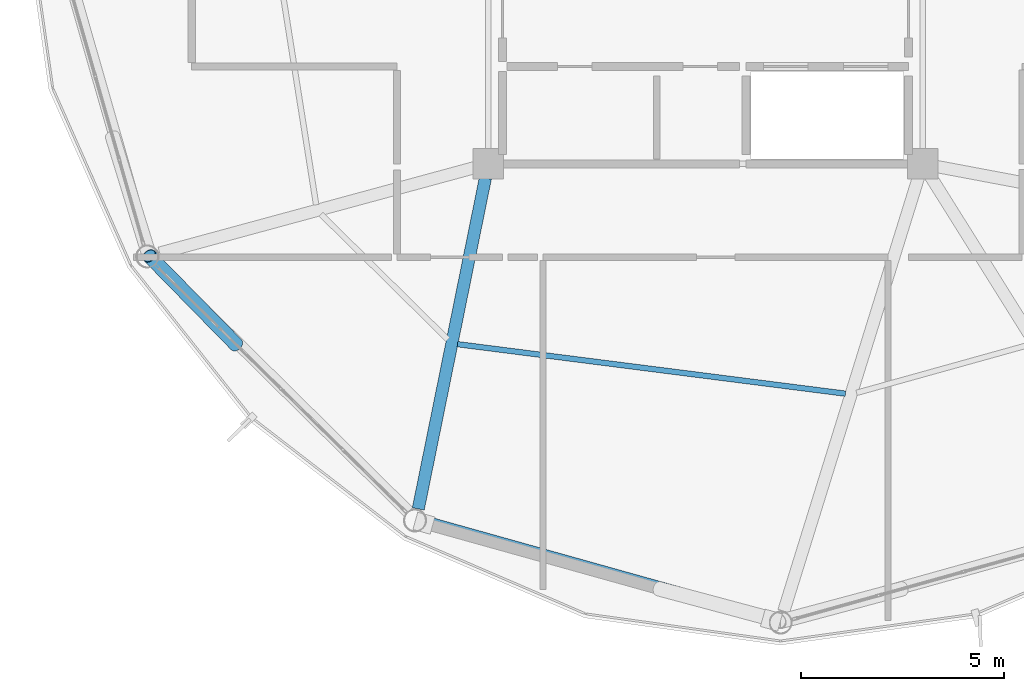
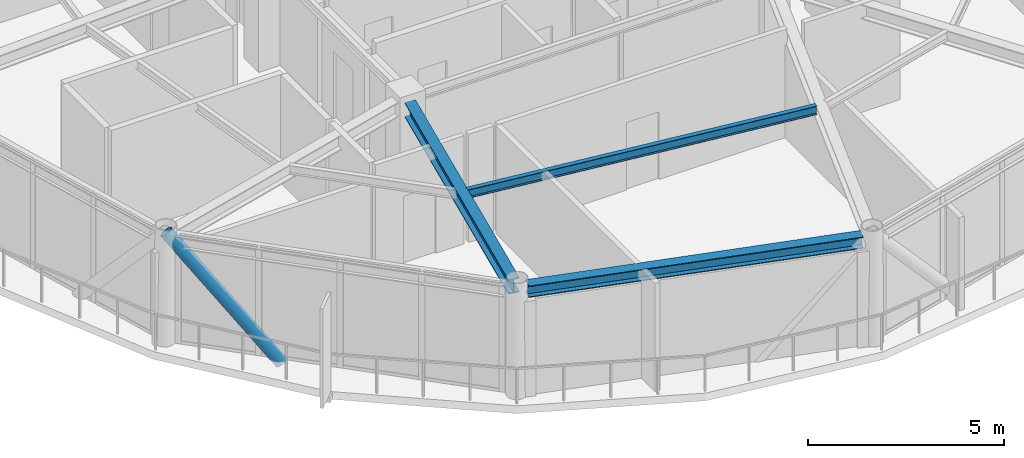
# One storey, part 3 of 26: 3 beams, 1 member.
"""IFC4 building model written with IfcOpenShell, lengths in metres."""

from ifc_helpers import new_model, si_unit, direction, frame, origin, origin_2d, place, context, subcontext, project, spatial, hollow_circle, i_section, extrude, material, material_profile, profile_set, type_object, element, save


model = new_model("IFC4")

# Units and contexts
model_context = context("Model", 3, precision=1e-05, world=origin(), true_north=direction((0.0, 1.0)))
body_context = subcontext(model_context, "Body", "Model", "MODEL_VIEW")
ifc_project = project(units=[si_unit("LENGTHUNIT", "METRE"), si_unit("AREAUNIT", "SQUARE_METRE"), si_unit("VOLUMEUNIT", "CUBIC_METRE"), si_unit("PLANEANGLEUNIT", "RADIAN"), si_unit("MASSUNIT", "GRAM", prefix="KILO")], contexts=[model_context])

# Site, building, storey
site_placement = place(None, origin())
site = spatial("IfcSite", under=ifc_project, at=site_placement, CompositionType="ELEMENT")
building_placement = place(site_placement, origin())
building = spatial("IfcBuilding", under=site, at=building_placement, Name="Varnakorn Sky Granary", CompositionType="ELEMENT")
storey_placement = place(building_placement, frame((0.0, 0.0, 267.0)))
storey = spatial("IfcBuildingStorey", under=building, at=storey_placement, Name="L68", CompositionType="ELEMENT", Elevation=267.0)

# Beams
ifc_material_1 = material(Name="Steel S355JR", Category="steel")
ifc_material_profile_1 = material_profile(ifc_material_1, i_section(OverallWidth=0.300048828125, OverallDepth=0.449951171875, WebThickness=0.013916015625, FlangeThickness=0.02587890625, at=origin_2d()), Name="HE 450 B")
ifc_profile_set_1 = profile_set([ifc_material_profile_1], Name="Steel S355JR")
beam_type_1 = type_object("IfcBeamType", Name="BM-RAD-Z5", PredefinedType="BEAM", material=ifc_profile_set_1)
beam_1_placement = place(storey_placement, frame((-2.420654296875, -6.947998046875, 3.135009765625), z_axis=(-0.198847603412, -0.980030423312, 0.0), x_axis=(0.980030423312, -0.198847603412, 0.0)))
element("IfcBeam", 1, at=beam_1_placement, inside=storey, type_object=beam_type_1, Name="Radial Floor Girder RG09 L68", PredefinedType="BEAM", context=body_context, shape_type="SweptSolid", body=[
    extrude(i_section(OverallWidth=0.300048828125, OverallDepth=0.449951171875, WebThickness=0.013916015625, FlangeThickness=0.02587890625, at=origin_2d()), origin(), (0.0, 0.0, 1.0), 8.31689453125),
])
ifc_material_profile_2 = material_profile(ifc_material_1, i_section(OverallWidth=0.135009765625, OverallDepth=0.27001953125, WebThickness=0.006591796875, FlangeThickness=0.01025390625, at=origin_2d()), Name="IPE 270")
ifc_profile_set_2 = profile_set([ifc_material_profile_2], Name="Steel S355JR")
beam_type_2 = type_object("IfcBeamType", Name="BM-SEC-Z5", PredefinedType="BEAM", material=ifc_profile_set_2)
beam_2_placement = place(storey_placement, frame((-3.108642578125, -11.041015625, 3.22509765625), z_axis=(0.991962440005, -0.126532674117, 0.0), x_axis=(0.126532674117, 0.991962440005, 0.0)))
element("IfcBeam", 2, at=beam_2_placement, inside=storey, type_object=beam_type_2, Name="Secondary Floor Chord Beam MSB09 L68", PredefinedType="BEAM", context=body_context, shape_type="SweptSolid", body=[
    extrude(i_section(OverallWidth=0.135009765625, OverallDepth=0.27001953125, WebThickness=0.006591796875, FlangeThickness=0.01025390625, at=origin_2d()), origin(), (0.0, 0.0, 1.0), 9.6337890625),
])
ifc_material_profile_3 = material_profile(ifc_material_1, i_section(OverallWidth=0.300048828125, OverallDepth=0.360107421875, WebThickness=0.012451171875, FlangeThickness=0.0224609375, at=origin_2d()), Name="HE 360 B")
ifc_profile_set_3 = profile_set([ifc_material_profile_3], Name="Steel S355JR")
beam_type_3 = type_object("IfcBeamType", Name="BM-SPD-Z5", PredefinedType="SPANDREL", material=ifc_profile_set_3)
beam_3_placement = place(storey_placement, frame((-3.872314453125, -15.42919921875, 3.179931640625), z_axis=(0.963030605559, -0.269392005741, 0.0), x_axis=(0.269392005741, 0.963030605559, 0.0)))
element("IfcBeam", 3, at=beam_3_placement, inside=storey, type_object=beam_type_3, Name="Perimeter Spandrel Ring Beam RB09 L68", PredefinedType="SPANDREL", context=body_context, shape_type="SweptSolid", body=[
    extrude(i_section(OverallWidth=0.300048828125, OverallDepth=0.360107421875, WebThickness=0.012451171875, FlangeThickness=0.0224609375, at=origin_2d()), origin(), (0.0, 0.0, 1.0), 8.79248046875),
])

# Member
ifc_material_2 = material(Name="Steel S460M", Category="steel")
ifc_material_profile_4 = material_profile(ifc_material_2, hollow_circle(Radius=0.177734375, WallThickness=0.01416015625, at=origin_2d()), Name="CHS 355.6x14")
ifc_profile_set_4 = profile_set([ifc_material_profile_4], Name="Steel S460M")
member_type = type_object("IfcMemberType", Name="MB-DIAG-T5", PredefinedType="BRACE", material=ifc_profile_set_4)
member_placement = place(storey_placement, frame((-8.557861328125, -11.0517578125, -0.1298828125), z_axis=(-0.461276023146, 0.470798258569, 0.75204616228), x_axis=(-0.714293434381, -0.699846332848, 0.0)))
element("IfcMember", 4, at=member_placement, inside=storey, type_object=member_type, Name="Perimeter CHS Diagrid Brace DG08 L68", PredefinedType="BRACE", context=body_context, shape_type="SweptSolid", body=[
    extrude(hollow_circle(Radius=0.177734375, WallThickness=0.01416015625, at=origin_2d()), origin(), (0.0, 0.0, 1.0), 4.640625),
])

save(model, "model.ifc")
